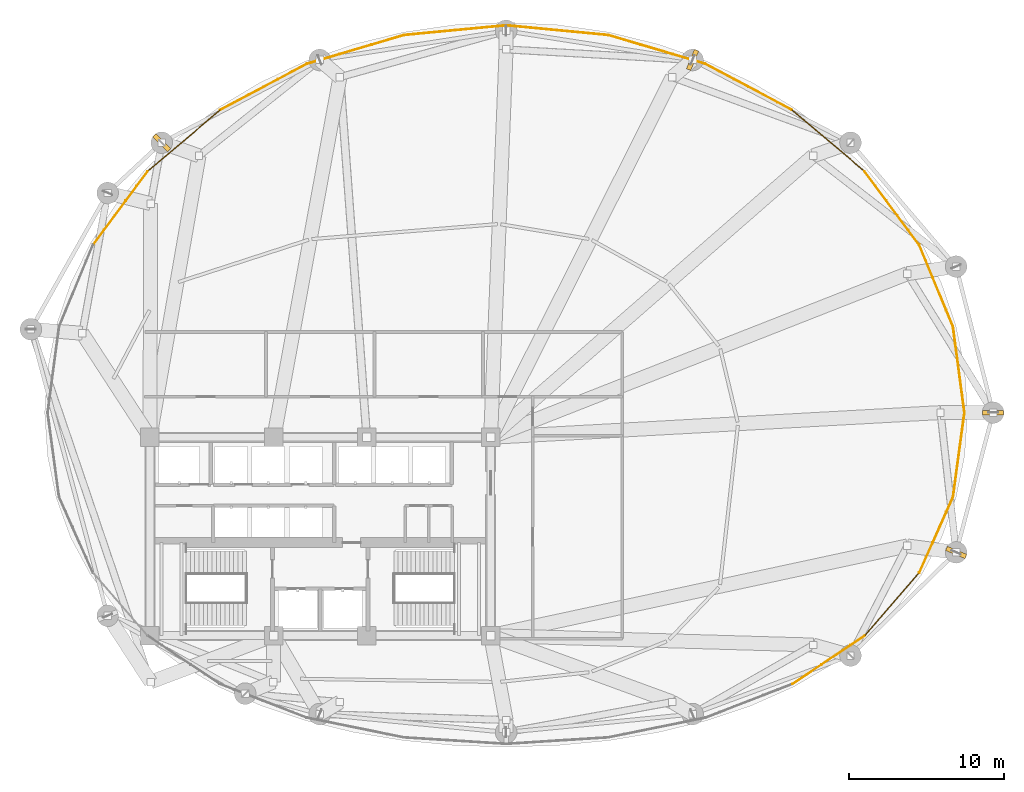
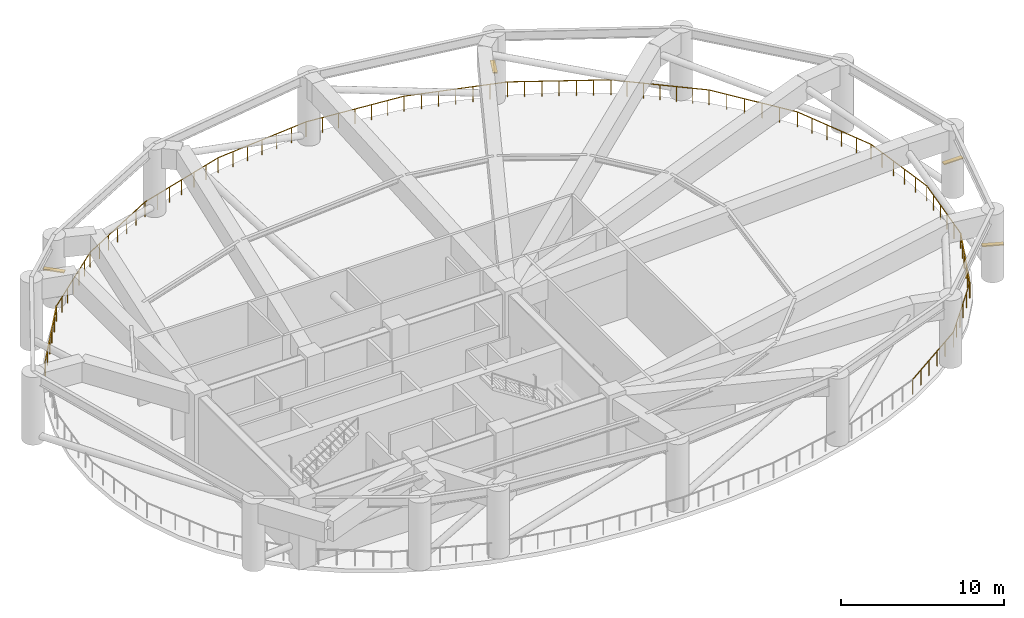
# One storey, part 9 of 9: 16 railings, 4 shading devices.
"""IFC4 building model written with IfcOpenShell, lengths in metres."""

from ifc_helpers import new_model, si_unit, direction, frame, origin, origin_2d, place, context, subcontext, project, spatial, rectangle, extrude, material, type_object, element, save


model = new_model("IFC4")

# Units and contexts
model_context = context("Model", 3, precision=1e-05, world=origin(), true_north=direction((0.0, 1.0)))
body_context = subcontext(model_context, "Body", "Model", "MODEL_VIEW")
ifc_project = project(units=[si_unit("LENGTHUNIT", "METRE"), si_unit("AREAUNIT", "SQUARE_METRE"), si_unit("VOLUMEUNIT", "CUBIC_METRE"), si_unit("PLANEANGLEUNIT", "RADIAN"), si_unit("MASSUNIT", "GRAM", prefix="KILO")], contexts=[model_context])

# Site, building, storey
site_placement = place(None, origin())
site = spatial("IfcSite", under=ifc_project, at=site_placement, CompositionType="ELEMENT")
building_placement = place(site_placement, origin())
building = spatial("IfcBuilding", under=site, at=building_placement, Name="Kazevale Care Tower and Concert Hall", CompositionType="ELEMENT")
storey_placement = place(building_placement, frame((0.0, 0.0, 92.39990234375)))
storey = spatial("IfcBuildingStorey", under=building, at=storey_placement, Name="L24", CompositionType="ELEMENT", Elevation=92.39990234375)

# Railings
ifc_material_1 = material(Name="Stainless Steel 316", Category="steel")
railing_type = type_object("IfcRailingType", Name="Wind-Floor & Portal Guardrail 1150", PredefinedType="BALUSTRADE", material=ifc_material_1)
railing_1_placement = place(storey_placement, frame((74.60009765625, 38.0, 0.0)))
element("IfcRailing", 1, at=railing_1_placement, inside=storey, type_object=railing_type, Name="rail:L24:wind_perim:01", PredefinedType="BALUSTRADE", context=body_context, shape_type="SweptSolid", body=[
    extrude(rectangle(XDim=0.048095703125, YDim=0.048095703125, at=origin_2d()), frame((0.0, 0.0, 1.1259765625), z_axis=(-0.134420506473, -0.990924380283, 0.0), x_axis=(0.990924380283, -0.134420506473, 0.0)), (0.0, 0.0, 1.0), 5.505126953125),
    extrude(rectangle(XDim=0.0419921875, YDim=0.0419921875, at=origin_2d()), origin(), (0.0, 0.0, 1.0), 1.101806640625),
    extrude(rectangle(XDim=0.0419921875, YDim=0.0419921875, at=origin_2d()), frame((-0.14794921875, -1.091064453125, 0.0)), (0.0, 0.0, 1.0), 1.101806640625),
    extrude(rectangle(XDim=0.0419921875, YDim=0.0419921875, at=origin_2d()), frame((-0.2958984375, -2.18212890625, 0.0)), (0.0, 0.0, 1.0), 1.101806640625),
    extrude(rectangle(XDim=0.0419921875, YDim=0.0419921875, at=origin_2d()), frame((-0.444091796875, -3.27294921875, 0.0)), (0.0, 0.0, 1.0), 1.101806640625),
    extrude(rectangle(XDim=0.0419921875, YDim=0.0419921875, at=origin_2d()), frame((-0.592041015625, -4.364013671875, 0.0)), (0.0, 0.0, 1.0), 1.101806640625),
    extrude(rectangle(XDim=0.0419921875, YDim=0.0419921875, at=origin_2d()), frame((-0.739990234375, -5.455078125, 0.0)), (0.0, 0.0, 1.0), 1.101806640625),
])
railing_2_placement = place(storey_placement, frame((73.860107421875, 32.544921875, 0.0)))
element("IfcRailing", 2, at=railing_2_placement, inside=storey, type_object=railing_type, Name="rail:L24:wind_perim:02", PredefinedType="BALUSTRADE", context=body_context, shape_type="SweptSolid", body=[
    extrude(rectangle(XDim=0.048095703125, YDim=0.048095703125, at=origin_2d()), frame((0.0, 0.0, 1.1259765625), z_axis=(-0.407484373452, -0.913212179831, 0.0), x_axis=(0.913212179831, -0.407484373452, 0.0)), (0.0, 0.0, 1.0), 5.350341796875),
    extrude(rectangle(XDim=0.0419921875, YDim=0.0419921875, at=origin_2d()), origin(), (0.0, 0.0, 1.0), 1.101806640625),
    extrude(rectangle(XDim=0.0419921875, YDim=0.0419921875, at=origin_2d()), frame((-0.43603515625, -0.977294921875, 0.0)), (0.0, 0.0, 1.0), 1.101806640625),
    extrude(rectangle(XDim=0.0419921875, YDim=0.0419921875, at=origin_2d()), frame((-0.8720703125, -1.954345703125, 0.0)), (0.0, 0.0, 1.0), 1.101806640625),
    extrude(rectangle(XDim=0.0419921875, YDim=0.0419921875, at=origin_2d()), frame((-1.30810546875, -2.931640625, 0.0)), (0.0, 0.0, 1.0), 1.101806640625),
    extrude(rectangle(XDim=0.0419921875, YDim=0.0419921875, at=origin_2d()), frame((-1.744140625, -3.90869140625, 0.0)), (0.0, 0.0, 1.0), 1.101806640625),
    extrude(rectangle(XDim=0.0419921875, YDim=0.0419921875, at=origin_2d()), frame((-2.18017578125, -4.885986328125, 0.0)), (0.0, 0.0, 1.0), 1.101806640625),
])
railing_3_placement = place(storey_placement, frame((71.679931640625, 27.658935546875, 0.0)))
element("IfcRailing", 3, at=railing_3_placement, inside=storey, type_object=railing_type, Name="rail:L24:wind_perim:03", PredefinedType="BALUSTRADE", context=body_context, shape_type="SweptSolid", body=[
    extrude(rectangle(XDim=0.048095703125, YDim=0.048095703125, at=origin_2d()), frame((0.0, 0.0, 1.1259765625), z_axis=(-0.654135765979, -0.756377154379, 0.0), x_axis=(0.756377154379, -0.654135765979, 0.0)), (0.0, 0.0, 1.0), 5.370361328125),
    extrude(rectangle(XDim=0.0419921875, YDim=0.0419921875, at=origin_2d()), origin(), (0.0, 0.0, 1.0), 1.101806640625),
    extrude(rectangle(XDim=0.0419921875, YDim=0.0419921875, at=origin_2d()), frame((-0.70263671875, -0.8125, 0.0)), (0.0, 0.0, 1.0), 1.101806640625),
    extrude(rectangle(XDim=0.0419921875, YDim=0.0419921875, at=origin_2d()), frame((-1.4052734375, -1.624755859375, 0.0)), (0.0, 0.0, 1.0), 1.101806640625),
    extrude(rectangle(XDim=0.0419921875, YDim=0.0419921875, at=origin_2d()), frame((-2.107666015625, -2.437255859375, 0.0)), (0.0, 0.0, 1.0), 1.101806640625),
    extrude(rectangle(XDim=0.0419921875, YDim=0.0419921875, at=origin_2d()), frame((-2.810302734375, -3.24951171875, 0.0)), (0.0, 0.0, 1.0), 1.101806640625),
    extrude(rectangle(XDim=0.0419921875, YDim=0.0419921875, at=origin_2d()), frame((-3.512939453125, -4.06201171875, 0.0)), (0.0, 0.0, 1.0), 1.101806640625),
])
railing_4_placement = place(storey_placement, frame((68.1669921875, 23.596923828125, 0.0)))
element("IfcRailing", 4, at=railing_4_placement, inside=storey, type_object=railing_type, Name="rail:L24:wind_perim:04", PredefinedType="BALUSTRADE", context=body_context, shape_type="SweptSolid", body=[
    extrude(rectangle(XDim=0.048095703125, YDim=0.048095703125, at=origin_2d()), frame((0.0, 0.0, 1.1259765625), z_axis=(-0.831368800412, -0.55572107905, 0.0), x_axis=(0.55572107905, -0.831368800412, 0.0)), (0.0, 0.0, 1.0), 5.626953125),
    extrude(rectangle(XDim=0.0419921875, YDim=0.0419921875, at=origin_2d()), origin(), (0.0, 0.0, 1.0), 1.101806640625),
    extrude(rectangle(XDim=0.0419921875, YDim=0.0419921875, at=origin_2d()), frame((-0.935546875, -0.62548828125, 0.0)), (0.0, 0.0, 1.0), 1.101806640625),
    extrude(rectangle(XDim=0.0419921875, YDim=0.0419921875, at=origin_2d()), frame((-1.87109375, -1.250732421875, 0.0)), (0.0, 0.0, 1.0), 1.101806640625),
    extrude(rectangle(XDim=0.0419921875, YDim=0.0419921875, at=origin_2d()), frame((-2.806884765625, -1.876220703125, 0.0)), (0.0, 0.0, 1.0), 1.101806640625),
    extrude(rectangle(XDim=0.0419921875, YDim=0.0419921875, at=origin_2d()), frame((-3.742431640625, -2.50146484375, 0.0)), (0.0, 0.0, 1.0), 1.101806640625),
    extrude(rectangle(XDim=0.0419921875, YDim=0.0419921875, at=origin_2d()), frame((-4.677978515625, -3.126953125, 0.0)), (0.0, 0.0, 1.0), 1.101806640625),
])
railing_5_placement = place(storey_placement, frame((18.324951171875, 48.8349609375, 0.0)))
element("IfcRailing", 5, at=railing_5_placement, inside=storey, type_object=railing_type, Name="rail:L24:wind_perim:17", PredefinedType="BALUSTRADE", context=body_context, shape_type="SweptSolid", body=[
    extrude(rectangle(XDim=0.048095703125, YDim=0.048095703125, at=origin_2d()), frame((0.0, 0.0, 1.1259765625), z_axis=(0.596415339379, 0.802675988773, 0.0), x_axis=(-0.802675988773, 0.596415339379, 0.0)), (0.0, 0.0, 1.0), 5.9052734375),
    extrude(rectangle(XDim=0.0419921875, YDim=0.0419921875, at=origin_2d()), origin(), (0.0, 0.0, 1.0), 1.101806640625),
    extrude(rectangle(XDim=0.0419921875, YDim=0.0419921875, at=origin_2d()), frame((0.704345703125, 0.947998046875, 0.0)), (0.0, 0.0, 1.0), 1.101806640625),
    extrude(rectangle(XDim=0.0419921875, YDim=0.0419921875, at=origin_2d()), frame((1.40869140625, 1.89599609375, 0.0)), (0.0, 0.0, 1.0), 1.101806640625),
    extrude(rectangle(XDim=0.0419921875, YDim=0.0419921875, at=origin_2d()), frame((2.11328125, 2.843994140625, 0.0)), (0.0, 0.0, 1.0), 1.101806640625),
    extrude(rectangle(XDim=0.0419921875, YDim=0.0419921875, at=origin_2d()), frame((2.817626953125, 3.7919921875, 0.0)), (0.0, 0.0, 1.0), 1.101806640625),
    extrude(rectangle(XDim=0.0419921875, YDim=0.0419921875, at=origin_2d()), frame((3.52197265625, 4.739990234375, 0.0)), (0.0, 0.0, 1.0), 1.101806640625),
])
railing_6_placement = place(storey_placement, frame((21.846923828125, 53.574951171875, 0.0)))
element("IfcRailing", 6, at=railing_6_placement, inside=storey, type_object=railing_type, Name="rail:L24:wind_perim:18", PredefinedType="BALUSTRADE", context=body_context, shape_type="SweptSolid", body=[
    extrude(rectangle(XDim=0.048095703125, YDim=0.048095703125, at=origin_2d()), frame((0.0, 0.0, 1.1259765625), z_axis=(0.763654900269, 0.645624653568, 0.0), x_axis=(-0.645624653568, 0.763654900269, 0.0)), (0.0, 0.0, 1.0), 6.135009765625),
    extrude(rectangle(XDim=0.0419921875, YDim=0.0419921875, at=origin_2d()), origin(), (0.0, 0.0, 1.0), 1.101806640625),
    extrude(rectangle(XDim=0.0419921875, YDim=0.0419921875, at=origin_2d()), frame((0.78076171875, 0.66015625, 0.0)), (0.0, 0.0, 1.0), 1.101806640625),
    extrude(rectangle(XDim=0.0419921875, YDim=0.0419921875, at=origin_2d()), frame((1.561767578125, 1.3203125, 0.0)), (0.0, 0.0, 1.0), 1.101806640625),
    extrude(rectangle(XDim=0.0419921875, YDim=0.0419921875, at=origin_2d()), frame((2.342529296875, 1.98046875, 0.0)), (0.0, 0.0, 1.0), 1.101806640625),
    extrude(rectangle(XDim=0.0419921875, YDim=0.0419921875, at=origin_2d()), frame((3.123291015625, 2.640625, 0.0)), (0.0, 0.0, 1.0), 1.101806640625),
    extrude(rectangle(XDim=0.0419921875, YDim=0.0419921875, at=origin_2d()), frame((3.904296875, 3.30078125, 0.0)), (0.0, 0.0, 1.0), 1.101806640625),
    extrude(rectangle(XDim=0.0419921875, YDim=0.0419921875, at=origin_2d()), frame((4.68505859375, 3.9609375, 0.0)), (0.0, 0.0, 1.0), 1.101806640625),
])
railing_7_placement = place(storey_placement, frame((26.531982421875, 57.535888671875, 0.0)))
element("IfcRailing", 7, at=railing_7_placement, inside=storey, type_object=railing_type, Name="rail:L24:wind_perim:19", PredefinedType="BALUSTRADE", context=body_context, shape_type="SweptSolid", body=[
    extrude(rectangle(XDim=0.048095703125, YDim=0.048095703125, at=origin_2d()), frame((0.0, 0.0, 1.1259765625), z_axis=(0.88306947402, 0.469242265843, 0.0), x_axis=(-0.469242265843, 0.88306947402, 0.0)), (0.0, 0.0, 1.0), 6.357421875),
    extrude(rectangle(XDim=0.0419921875, YDim=0.0419921875, at=origin_2d()), origin(), (0.0, 0.0, 1.0), 1.101806640625),
    extrude(rectangle(XDim=0.0419921875, YDim=0.0419921875, at=origin_2d()), frame((0.935546875, 0.4970703125, 0.0)), (0.0, 0.0, 1.0), 1.101806640625),
    extrude(rectangle(XDim=0.0419921875, YDim=0.0419921875, at=origin_2d()), frame((1.871337890625, 0.994384765625, 0.0)), (0.0, 0.0, 1.0), 1.101806640625),
    extrude(rectangle(XDim=0.0419921875, YDim=0.0419921875, at=origin_2d()), frame((2.80712890625, 1.49169921875, 0.0)), (0.0, 0.0, 1.0), 1.101806640625),
    extrude(rectangle(XDim=0.0419921875, YDim=0.0419921875, at=origin_2d()), frame((3.74267578125, 1.98876953125, 0.0)), (0.0, 0.0, 1.0), 1.101806640625),
    extrude(rectangle(XDim=0.0419921875, YDim=0.0419921875, at=origin_2d()), frame((4.67822265625, 2.48583984375, 0.0)), (0.0, 0.0, 1.0), 1.101806640625),
    extrude(rectangle(XDim=0.0419921875, YDim=0.0419921875, at=origin_2d()), frame((5.614013671875, 2.983154296875, 0.0)), (0.0, 0.0, 1.0), 1.101806640625),
])
railing_8_placement = place(storey_placement, frame((32.14599609375, 60.51904296875, 0.0)))
element("IfcRailing", 8, at=railing_8_placement, inside=storey, type_object=railing_type, Name="rail:L24:wind_perim:20", PredefinedType="BALUSTRADE", context=body_context, shape_type="SweptSolid", body=[
    extrude(rectangle(XDim=0.048095703125, YDim=0.048095703125, at=origin_2d()), frame((0.0, 0.0, 1.1259765625), z_axis=(0.958884825768, 0.283795508972, 0.0), x_axis=(-0.283795508972, 0.958884825768, 0.0)), (0.0, 0.0, 1.0), 6.529541015625),
    extrude(rectangle(XDim=0.0419921875, YDim=0.0419921875, at=origin_2d()), origin(), (0.0, 0.0, 1.0), 1.101806640625),
    extrude(rectangle(XDim=0.0419921875, YDim=0.0419921875, at=origin_2d()), frame((1.04345703125, 0.308837890625, 0.0)), (0.0, 0.0, 1.0), 1.101806640625),
    extrude(rectangle(XDim=0.0419921875, YDim=0.0419921875, at=origin_2d()), frame((2.0869140625, 0.61767578125, 0.0)), (0.0, 0.0, 1.0), 1.101806640625),
    extrude(rectangle(XDim=0.0419921875, YDim=0.0419921875, at=origin_2d()), frame((3.13037109375, 0.926513671875, 0.0)), (0.0, 0.0, 1.0), 1.101806640625),
    extrude(rectangle(XDim=0.0419921875, YDim=0.0419921875, at=origin_2d()), frame((4.174072265625, 1.2353515625, 0.0)), (0.0, 0.0, 1.0), 1.101806640625),
    extrude(rectangle(XDim=0.0419921875, YDim=0.0419921875, at=origin_2d()), frame((5.217529296875, 1.544189453125, 0.0)), (0.0, 0.0, 1.0), 1.101806640625),
    extrude(rectangle(XDim=0.0419921875, YDim=0.0419921875, at=origin_2d()), frame((6.260986328125, 1.85302734375, 0.0)), (0.0, 0.0, 1.0), 1.101806640625),
])
railing_9_placement = place(storey_placement, frame((38.406982421875, 62.3720703125, 0.0)))
element("IfcRailing", 9, at=railing_9_placement, inside=storey, type_object=railing_type, Name="rail:L24:wind_perim:21", PredefinedType="BALUSTRADE", context=body_context, shape_type="SweptSolid", body=[
    extrude(rectangle(XDim=0.048095703125, YDim=0.048095703125, at=origin_2d()), frame((0.0, 0.0, 1.1259765625), z_axis=(0.995495141232, 0.094812571866, 0.0), x_axis=(-0.094812571866, 0.995495141232, 0.0)), (0.0, 0.0, 1.0), 6.622802734375),
    extrude(rectangle(XDim=0.0419921875, YDim=0.0419921875, at=origin_2d()), origin(), (0.0, 0.0, 1.0), 1.101806640625),
    extrude(rectangle(XDim=0.0419921875, YDim=0.0419921875, at=origin_2d()), frame((1.098876953125, 0.104736328125, 0.0)), (0.0, 0.0, 1.0), 1.101806640625),
    extrude(rectangle(XDim=0.0419921875, YDim=0.0419921875, at=origin_2d()), frame((2.19775390625, 0.209228515625, 0.0)), (0.0, 0.0, 1.0), 1.101806640625),
    extrude(rectangle(XDim=0.0419921875, YDim=0.0419921875, at=origin_2d()), frame((3.29638671875, 0.31396484375, 0.0)), (0.0, 0.0, 1.0), 1.101806640625),
    extrude(rectangle(XDim=0.0419921875, YDim=0.0419921875, at=origin_2d()), frame((4.395263671875, 0.418701171875, 0.0)), (0.0, 0.0, 1.0), 1.101806640625),
    extrude(rectangle(XDim=0.0419921875, YDim=0.0419921875, at=origin_2d()), frame((5.494140625, 0.523193359375, 0.0)), (0.0, 0.0, 1.0), 1.101806640625),
    extrude(rectangle(XDim=0.0419921875, YDim=0.0419921875, at=origin_2d()), frame((6.593017578125, 0.6279296875, 0.0)), (0.0, 0.0, 1.0), 1.101806640625),
])
railing_10_placement = place(storey_placement, frame((45.0, 63.0, 0.0)))
element("IfcRailing", 10, at=railing_10_placement, inside=storey, type_object=railing_type, Name="rail:L24:wind_perim:22", PredefinedType="BALUSTRADE", context=body_context, shape_type="SweptSolid", body=[
    extrude(rectangle(XDim=0.048095703125, YDim=0.048095703125, at=origin_2d()), frame((0.0, 0.0, 1.1259765625), z_axis=(0.995495141232, -0.094812571866, 0.0), x_axis=(0.094812571866, 0.995495141232, 0.0)), (0.0, 0.0, 1.0), 6.622802734375),
    extrude(rectangle(XDim=0.0419921875, YDim=0.0419921875, at=origin_2d()), origin(), (0.0, 0.0, 1.0), 1.101806640625),
    extrude(rectangle(XDim=0.0419921875, YDim=0.0419921875, at=origin_2d()), frame((1.098876953125, -0.104736328125, 0.0)), (0.0, 0.0, 1.0), 1.101806640625),
    extrude(rectangle(XDim=0.0419921875, YDim=0.0419921875, at=origin_2d()), frame((2.19775390625, -0.209228515625, 0.0)), (0.0, 0.0, 1.0), 1.101806640625),
    extrude(rectangle(XDim=0.0419921875, YDim=0.0419921875, at=origin_2d()), frame((3.29638671875, -0.31396484375, 0.0)), (0.0, 0.0, 1.0), 1.101806640625),
    extrude(rectangle(XDim=0.0419921875, YDim=0.0419921875, at=origin_2d()), frame((4.395263671875, -0.418701171875, 0.0)), (0.0, 0.0, 1.0), 1.101806640625),
    extrude(rectangle(XDim=0.0419921875, YDim=0.0419921875, at=origin_2d()), frame((5.494140625, -0.523193359375, 0.0)), (0.0, 0.0, 1.0), 1.101806640625),
    extrude(rectangle(XDim=0.0419921875, YDim=0.0419921875, at=origin_2d()), frame((6.593017578125, -0.6279296875, 0.0)), (0.0, 0.0, 1.0), 1.101806640625),
])
railing_11_placement = place(storey_placement, frame((51.593017578125, 62.3720703125, 0.0)))
element("IfcRailing", 11, at=railing_11_placement, inside=storey, type_object=railing_type, Name="rail:L24:wind_perim:23", PredefinedType="BALUSTRADE", context=body_context, shape_type="SweptSolid", body=[
    extrude(rectangle(XDim=0.048095703125, YDim=0.048095703125, at=origin_2d()), frame((0.0, 0.0, 1.1259765625), z_axis=(0.958884825768, -0.283795508972, 0.0), x_axis=(0.283795508972, 0.958884825768, 0.0)), (0.0, 0.0, 1.0), 6.529541015625),
    extrude(rectangle(XDim=0.0419921875, YDim=0.0419921875, at=origin_2d()), origin(), (0.0, 0.0, 1.0), 1.101806640625),
    extrude(rectangle(XDim=0.0419921875, YDim=0.0419921875, at=origin_2d()), frame((1.04345703125, -0.308837890625, 0.0)), (0.0, 0.0, 1.0), 1.101806640625),
    extrude(rectangle(XDim=0.0419921875, YDim=0.0419921875, at=origin_2d()), frame((2.0869140625, -0.61767578125, 0.0)), (0.0, 0.0, 1.0), 1.101806640625),
    extrude(rectangle(XDim=0.0419921875, YDim=0.0419921875, at=origin_2d()), frame((3.13037109375, -0.926513671875, 0.0)), (0.0, 0.0, 1.0), 1.101806640625),
    extrude(rectangle(XDim=0.0419921875, YDim=0.0419921875, at=origin_2d()), frame((4.174072265625, -1.2353515625, 0.0)), (0.0, 0.0, 1.0), 1.101806640625),
    extrude(rectangle(XDim=0.0419921875, YDim=0.0419921875, at=origin_2d()), frame((5.217529296875, -1.544189453125, 0.0)), (0.0, 0.0, 1.0), 1.101806640625),
    extrude(rectangle(XDim=0.0419921875, YDim=0.0419921875, at=origin_2d()), frame((6.260986328125, -1.85302734375, 0.0)), (0.0, 0.0, 1.0), 1.101806640625),
])
railing_12_placement = place(storey_placement, frame((57.85400390625, 60.51904296875, 0.0)))
element("IfcRailing", 12, at=railing_12_placement, inside=storey, type_object=railing_type, Name="rail:L24:wind_perim:24", PredefinedType="BALUSTRADE", context=body_context, shape_type="SweptSolid", body=[
    extrude(rectangle(XDim=0.048095703125, YDim=0.048095703125, at=origin_2d()), frame((0.0, 0.0, 1.1259765625), z_axis=(0.88306947402, -0.469242265843, 0.0), x_axis=(0.469242265843, 0.88306947402, 0.0)), (0.0, 0.0, 1.0), 6.357421875),
    extrude(rectangle(XDim=0.0419921875, YDim=0.0419921875, at=origin_2d()), origin(), (0.0, 0.0, 1.0), 1.101806640625),
    extrude(rectangle(XDim=0.0419921875, YDim=0.0419921875, at=origin_2d()), frame((0.935546875, -0.4970703125, 0.0)), (0.0, 0.0, 1.0), 1.101806640625),
    extrude(rectangle(XDim=0.0419921875, YDim=0.0419921875, at=origin_2d()), frame((1.871337890625, -0.994384765625, 0.0)), (0.0, 0.0, 1.0), 1.101806640625),
    extrude(rectangle(XDim=0.0419921875, YDim=0.0419921875, at=origin_2d()), frame((2.80712890625, -1.49169921875, 0.0)), (0.0, 0.0, 1.0), 1.101806640625),
    extrude(rectangle(XDim=0.0419921875, YDim=0.0419921875, at=origin_2d()), frame((3.74267578125, -1.98876953125, 0.0)), (0.0, 0.0, 1.0), 1.101806640625),
    extrude(rectangle(XDim=0.0419921875, YDim=0.0419921875, at=origin_2d()), frame((4.67822265625, -2.48583984375, 0.0)), (0.0, 0.0, 1.0), 1.101806640625),
    extrude(rectangle(XDim=0.0419921875, YDim=0.0419921875, at=origin_2d()), frame((5.614013671875, -2.983154296875, 0.0)), (0.0, 0.0, 1.0), 1.101806640625),
])
railing_13_placement = place(storey_placement, frame((63.468017578125, 57.535888671875, 0.0)))
element("IfcRailing", 13, at=railing_13_placement, inside=storey, type_object=railing_type, Name="rail:L24:wind_perim:25", PredefinedType="BALUSTRADE", context=body_context, shape_type="SweptSolid", body=[
    extrude(rectangle(XDim=0.048095703125, YDim=0.048095703125, at=origin_2d()), frame((0.0, 0.0, 1.1259765625), z_axis=(0.763654900269, -0.645624653568, 0.0), x_axis=(0.645624653568, 0.763654900269, 0.0)), (0.0, 0.0, 1.0), 6.135009765625),
    extrude(rectangle(XDim=0.0419921875, YDim=0.0419921875, at=origin_2d()), origin(), (0.0, 0.0, 1.0), 1.101806640625),
    extrude(rectangle(XDim=0.0419921875, YDim=0.0419921875, at=origin_2d()), frame((0.78076171875, -0.66015625, 0.0)), (0.0, 0.0, 1.0), 1.101806640625),
    extrude(rectangle(XDim=0.0419921875, YDim=0.0419921875, at=origin_2d()), frame((1.561767578125, -1.3203125, 0.0)), (0.0, 0.0, 1.0), 1.101806640625),
    extrude(rectangle(XDim=0.0419921875, YDim=0.0419921875, at=origin_2d()), frame((2.342529296875, -1.98046875, 0.0)), (0.0, 0.0, 1.0), 1.101806640625),
    extrude(rectangle(XDim=0.0419921875, YDim=0.0419921875, at=origin_2d()), frame((3.123291015625, -2.640625, 0.0)), (0.0, 0.0, 1.0), 1.101806640625),
    extrude(rectangle(XDim=0.0419921875, YDim=0.0419921875, at=origin_2d()), frame((3.904296875, -3.30078125, 0.0)), (0.0, 0.0, 1.0), 1.101806640625),
    extrude(rectangle(XDim=0.0419921875, YDim=0.0419921875, at=origin_2d()), frame((4.68505859375, -3.9609375, 0.0)), (0.0, 0.0, 1.0), 1.101806640625),
])
railing_14_placement = place(storey_placement, frame((68.153076171875, 53.574951171875, 0.0)))
element("IfcRailing", 14, at=railing_14_placement, inside=storey, type_object=railing_type, Name="rail:L24:wind_perim:26", PredefinedType="BALUSTRADE", context=body_context, shape_type="SweptSolid", body=[
    extrude(rectangle(XDim=0.048095703125, YDim=0.048095703125, at=origin_2d()), frame((0.0, 0.0, 1.1259765625), z_axis=(0.596415339379, -0.802675988773, 0.0), x_axis=(0.802675988773, 0.596415339379, 0.0)), (0.0, 0.0, 1.0), 5.9052734375),
    extrude(rectangle(XDim=0.0419921875, YDim=0.0419921875, at=origin_2d()), origin(), (0.0, 0.0, 1.0), 1.101806640625),
    extrude(rectangle(XDim=0.0419921875, YDim=0.0419921875, at=origin_2d()), frame((0.704345703125, -0.947998046875, 0.0)), (0.0, 0.0, 1.0), 1.101806640625),
    extrude(rectangle(XDim=0.0419921875, YDim=0.0419921875, at=origin_2d()), frame((1.40869140625, -1.89599609375, 0.0)), (0.0, 0.0, 1.0), 1.101806640625),
    extrude(rectangle(XDim=0.0419921875, YDim=0.0419921875, at=origin_2d()), frame((2.11328125, -2.843994140625, 0.0)), (0.0, 0.0, 1.0), 1.101806640625),
    extrude(rectangle(XDim=0.0419921875, YDim=0.0419921875, at=origin_2d()), frame((2.817626953125, -3.7919921875, 0.0)), (0.0, 0.0, 1.0), 1.101806640625),
    extrude(rectangle(XDim=0.0419921875, YDim=0.0419921875, at=origin_2d()), frame((3.52197265625, -4.739990234375, 0.0)), (0.0, 0.0, 1.0), 1.101806640625),
])
railing_15_placement = place(storey_placement, frame((71.675048828125, 48.8349609375, 0.0)))
element("IfcRailing", 15, at=railing_15_placement, inside=storey, type_object=railing_type, Name="rail:L24:wind_perim:27", PredefinedType="BALUSTRADE", context=body_context, shape_type="SweptSolid", body=[
    extrude(rectangle(XDim=0.048095703125, YDim=0.048095703125, at=origin_2d()), frame((0.0, 0.0, 1.1259765625), z_axis=(0.382202087833, -0.924078765072, 0.0), x_axis=(0.924078765072, 0.382202087833, 0.0)), (0.0, 0.0, 1.0), 5.7138671875),
    extrude(rectangle(XDim=0.0419921875, YDim=0.0419921875, at=origin_2d()), origin(), (0.0, 0.0, 1.0), 1.101806640625),
    extrude(rectangle(XDim=0.0419921875, YDim=0.0419921875, at=origin_2d()), frame((0.436767578125, -1.055908203125, 0.0)), (0.0, 0.0, 1.0), 1.101806640625),
    extrude(rectangle(XDim=0.0419921875, YDim=0.0419921875, at=origin_2d()), frame((0.87353515625, -2.112060546875, 0.0)), (0.0, 0.0, 1.0), 1.101806640625),
    extrude(rectangle(XDim=0.0419921875, YDim=0.0419921875, at=origin_2d()), frame((1.310302734375, -3.16796875, 0.0)), (0.0, 0.0, 1.0), 1.101806640625),
    extrude(rectangle(XDim=0.0419921875, YDim=0.0419921875, at=origin_2d()), frame((1.7470703125, -4.22412109375, 0.0)), (0.0, 0.0, 1.0), 1.101806640625),
    extrude(rectangle(XDim=0.0419921875, YDim=0.0419921875, at=origin_2d()), frame((2.183837890625, -5.280029296875, 0.0)), (0.0, 0.0, 1.0), 1.101806640625),
])
railing_16_placement = place(storey_placement, frame((73.85888671875, 43.554931640625, 0.0)))
element("IfcRailing", 16, at=railing_16_placement, inside=storey, type_object=railing_type, Name="rail:L24:wind_perim:28", PredefinedType="BALUSTRADE", context=body_context, shape_type="SweptSolid", body=[
    extrude(rectangle(XDim=0.048095703125, YDim=0.048095703125, at=origin_2d()), frame((0.0, 0.0, 1.1259765625), z_axis=(0.13226074004, -0.991214959857, 0.0), x_axis=(0.991214959857, 0.13226074004, 0.0)), (0.0, 0.0, 1.0), 5.604248046875),
    extrude(rectangle(XDim=0.0419921875, YDim=0.0419921875, at=origin_2d()), origin(), (0.0, 0.0, 1.0), 1.101806640625),
    extrude(rectangle(XDim=0.0419921875, YDim=0.0419921875, at=origin_2d()), frame((0.148193359375, -1.111083984375, 0.0)), (0.0, 0.0, 1.0), 1.101806640625),
    extrude(rectangle(XDim=0.0419921875, YDim=0.0419921875, at=origin_2d()), frame((0.29638671875, -2.221923828125, 0.0)), (0.0, 0.0, 1.0), 1.101806640625),
    extrude(rectangle(XDim=0.0419921875, YDim=0.0419921875, at=origin_2d()), frame((0.44482421875, -3.3330078125, 0.0)), (0.0, 0.0, 1.0), 1.101806640625),
    extrude(rectangle(XDim=0.0419921875, YDim=0.0419921875, at=origin_2d()), frame((0.593017578125, -4.44384765625, 0.0)), (0.0, 0.0, 1.0), 1.101806640625),
    extrude(rectangle(XDim=0.0419921875, YDim=0.0419921875, at=origin_2d()), frame((0.7412109375, -5.554931640625, 0.0)), (0.0, 0.0, 1.0), 1.101806640625),
])

# Shading devices
ifc_material_2 = material(Name="Aluminium 6063-T6", Category="aluminium")
shading_device_type = type_object("IfcShadingDeviceType", Name="Wind-Floor Acoustic Storm Louvre Blade LVR-01", PredefinedType="USERDEFINED", material=ifc_material_2)
for number, where, z_axis, x_axis, name in (
    (17, (76.449951171875, 38.0, 2.360107421875), (0.0, 0.0, 1.0), (1.0, 0.0, 0.0), "louvre:L24:01"),
    (18, (57.0400390625, 60.77001953125, 2.360107421875), (0.0, 0.0, 1.0), (0.382683432365, 0.923879532511, 0.0), "louvre:L24:04"),
    (19, (22.760009765625, 55.429931640625, 2.360107421875), (0.0, 0.0, 1.0), (-0.707106781187, 0.707106781187, 0.0), "louvre:L24:07"),
    (20, (74.06005859375, 28.969970703125, 2.360107421875), (0.0, 0.0, 1.0), (0.923879532511, -0.382683432365, 0.0), "louvre:L24:16"),
):
    element("IfcShadingDevice", number, at=place(storey_placement, frame(where, z_axis=z_axis, x_axis=x_axis)), inside=storey, type_object=shading_device_type, Name=name, ObjectType="LOUVRE", PredefinedType="USERDEFINED", context=body_context, shape_type="SweptSolid", body=[
        extrude(rectangle(XDim=1.35009765625, YDim=0.300048828125, at=origin_2d()), origin(), (0.0, 0.0, 1.0), 0.080078125),
    ])

save(model, "model.ifc")
